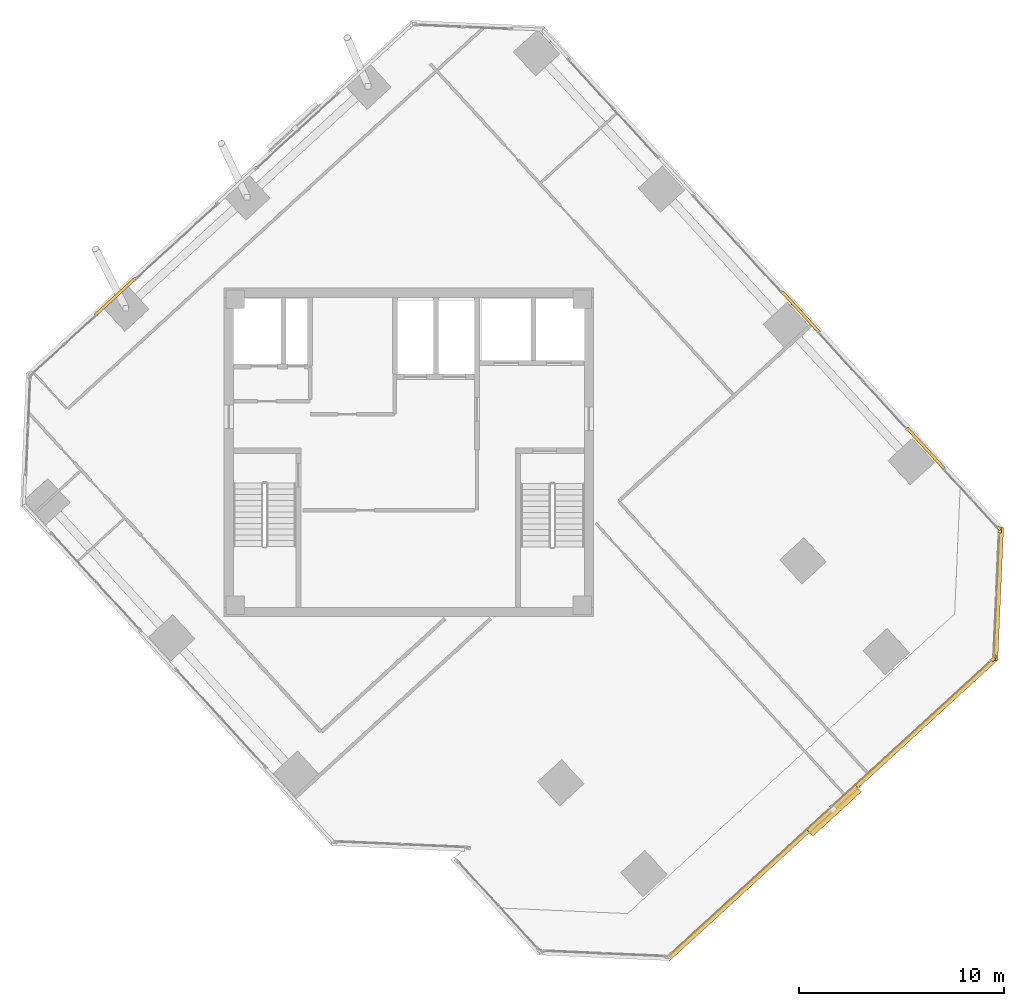
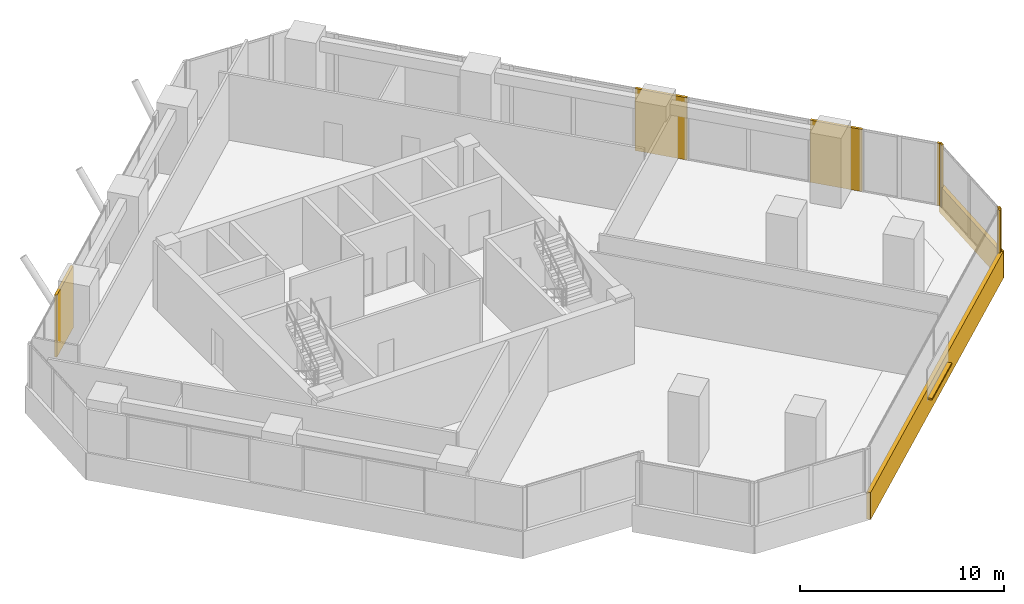
# One storey, part 15 of 16: 9 coverings, 1 shading device.
"""IFC4 building model written with IfcOpenShell, lengths in metres."""

from ifc_helpers import new_model, si_unit, direction, frame, origin, origin_2d, place, context, subcontext, project, spatial, rectangle, extrude, source, transform, mapped, material, layer, layer_set, type_object, element, save


model = new_model("IFC4")

# Units and contexts
model_context = context("Model", 3, precision=1e-05, world=origin(), true_north=direction((0.0, 1.0)))
body_context = subcontext(model_context, "Body", "Model", "MODEL_VIEW")
ifc_project = project(units=[si_unit("LENGTHUNIT", "METRE"), si_unit("AREAUNIT", "SQUARE_METRE"), si_unit("VOLUMEUNIT", "CUBIC_METRE"), si_unit("PLANEANGLEUNIT", "RADIAN"), si_unit("MASSUNIT", "GRAM", prefix="KILO")], contexts=[model_context])

# Site, building, storey
site_placement = place(None, origin())
site = spatial("IfcSite", under=ifc_project, at=site_placement, CompositionType="ELEMENT")
building_placement = place(site_placement, origin())
building = spatial("IfcBuilding", under=site, at=building_placement, Name="Torre Montelarca", CompositionType="ELEMENT")
storey_placement = place(building_placement, frame((0.0, 0.0, 262.60009765625)))
storey = spatial("IfcBuildingStorey", under=building, at=storey_placement, Name="L59", CompositionType="ELEMENT", Elevation=262.60009765625)

# Covering
ifc_material_1 = material(Name="Bush-hammered warm white precast concrete C45/55", Category="concrete")
ifc_layer_1 = layer(ifc_material_1, 0.139892578125, Name="Bush-hammered warm white precast concrete C45/55", Category="concrete")
ifc_layer_set_1 = layer_set([ifc_layer_1], Name="Bush-hammered warm white precast concrete C45/55")
covering_type = type_object("IfcCoveringType", Name="COV-TRAY-CLAD", PredefinedType="CLADDING", material=ifc_layer_set_1)
shared_shape_1 = source(origin(), body_context, "Body", "SweptSolid", [
    extrude(rectangle(XDim=6.48388671875, YDim=0.219970703125, at=origin_2d()), origin(), (0.0, 0.0, 1.0), 1.6201171875),
])
covering_1_placement = place(storey_placement, frame((46.71923828125, 25.09521484375, -0.4501953125), z_axis=(0.0, 0.0, 1.0), x_axis=(0.043621131033, 0.99904814545, 0.0)))
element("IfcCovering", 1, at=covering_1_placement, inside=storey, type_object=covering_type, Name="L59 Architectural White Spandrel Tray Band TRYBOT-07", PredefinedType="CLADDING", context=body_context, shape_type="MappedRepresentation", body=[
    mapped(shared_shape_1, transform((0.0, 0.0, 0.0), scale=1.0)),
])

# Shading device
ifc_material_2 = material(Name="Anodised champagne bronze aluminium AA 6063-T6", Category="aluminium")
ifc_layer_2 = layer(ifc_material_2, 0.070068359375, Name="Anodised champagne bronze aluminium AA 6063-T6", Category="aluminium")
ifc_layer_set_2 = layer_set([ifc_layer_2], Name="Anodised champagne bronze aluminium AA 6063-T6")
shading_device_type = type_object("IfcShadingDeviceType", Name="SHD-SUNSHADE-1", PredefinedType="USERDEFINED", material=ifc_layer_set_2)
shared_shape_2 = source(origin(), body_context, "Body", "SweptSolid", [
    extrude(rectangle(XDim=3.199951171875, YDim=0.47998046875, at=origin_2d()), origin(), (0.0, 0.0, 1.0), 0.10009765625),
])
shading_device_placement = place(storey_placement, frame((38.701904296875, 14.5595703125, 0.56982421875), z_axis=(0.0, 0.0, 1.0), x_axis=(0.737276157682, 0.675591494406, 0.0)))
element("IfcShadingDevice", 2, at=shading_device_placement, inside=storey, type_object=shading_device_type, Name="L59 Facade Solar Shading Device E6", ObjectType="SUNSHADE", PredefinedType="USERDEFINED", context=body_context, shape_type="MappedRepresentation", body=[
    mapped(shared_shape_2, transform((0.0, 0.0, 0.0), scale=1.0)),
])

# Coverings
shared_shape_3 = source(origin(), body_context, "Body", "SweptSolid", [
    extrude(rectangle(XDim=0.199951171875, YDim=0.139892578125, at=origin_2d()), origin(), (0.0, 0.0, 1.0), 3.719970703125),
])
for number, where, z_axis, x_axis, name in (
    (3, (46.46435546875, 21.90283203125, 0.0), (0.0, 0.0, 1.0), (0.73727733681, 0.675590207616, 0.0), "L59 Architectural Column Pier Cladding E06-2"),
    (4, (46.525634765625, 22.034423828125, 0.0), (0.0, 0.0, 1.0), (0.043628105704, 0.999047840893, 0.0), "L59 Architectural Column Pier Cladding E07-1"),
    (5, (46.793212890625, 28.160888671875, 0.0), (0.0, 0.0, 1.0), (0.043628105704, 0.999047840893, 0.0), "L59 Architectural Column Pier Cladding E07-2"),
    (6, (46.743408203125, 28.29736328125, 0.0), (0.0, 0.0, 1.0), (-0.675588920823, 0.737278515936, 0.0), "L59 Architectural Column Pier Cladding E08-1"),
):
    element("IfcCovering", number, at=place(storey_placement, frame(where, z_axis=z_axis, x_axis=x_axis)), inside=storey, type_object=covering_type, Name=name, PredefinedType="CLADDING", context=body_context, shape_type="MappedRepresentation", body=[
        mapped(shared_shape_3, transform((0.0, 0.0, 0.0), scale=1.0)),
    ])
shared_shape_4 = source(origin(), body_context, "Body", "SweptSolid", [
    extrude(rectangle(XDim=21.719970703125, YDim=0.219970703125, at=origin_2d()), origin(), (0.0, 0.0, 1.0), 1.6201171875),
])
covering_2_placement = place(storey_placement, frame((38.627685546875, 14.640625, -0.4501953125), z_axis=(0.0, 0.0, 1.0), x_axis=(0.737276157682, 0.675591494406, 0.0)))
element("IfcCovering", 7, at=covering_2_placement, inside=storey, type_object=covering_type, Name="L59 Architectural White Spandrel Tray Band TRYBOT-06", PredefinedType="CLADDING", context=body_context, shape_type="MappedRepresentation", body=[
    mapped(shared_shape_4, transform((0.0, 0.0, 0.0), scale=1.0)),
])
shared_shape_5 = source(origin(), body_context, "Body", "SweptSolid", [
    extrude(rectangle(XDim=2.659912109375, YDim=0.139892578125, at=origin_2d()), origin(), (0.0, 0.0, 1.0), 3.719970703125),
])
for number, where, z_axis, x_axis, name in (
    (8, (43.173583984375, 32.193115234375, 0.0), (0.0, 0.0, 1.0), (-0.675588920823, 0.737278515936, 0.0), "L59 Architectural Column Pier Cladding E08-2"),
    (9, (37.09326171875, 38.82861328125, 0.0), (0.0, 0.0, 1.0), (-0.675588920823, 0.737278515936, 0.0), "L59 Architectural Column Pier Cladding E08-3"),
    (10, (3.70458984375, 39.57861328125, 0.0), (0.0, 0.0, 1.0), (-0.737276157682, -0.675591494406, 0.0), "L59 Architectural Column Pier Cladding E10-4"),
):
    element("IfcCovering", number, at=place(storey_placement, frame(where, z_axis=z_axis, x_axis=x_axis)), inside=storey, type_object=covering_type, Name=name, PredefinedType="CLADDING", context=body_context, shape_type="MappedRepresentation", body=[
        mapped(shared_shape_5, transform((0.0, 0.0, 0.0), scale=1.0)),
    ])

save(model, "model.ifc")
